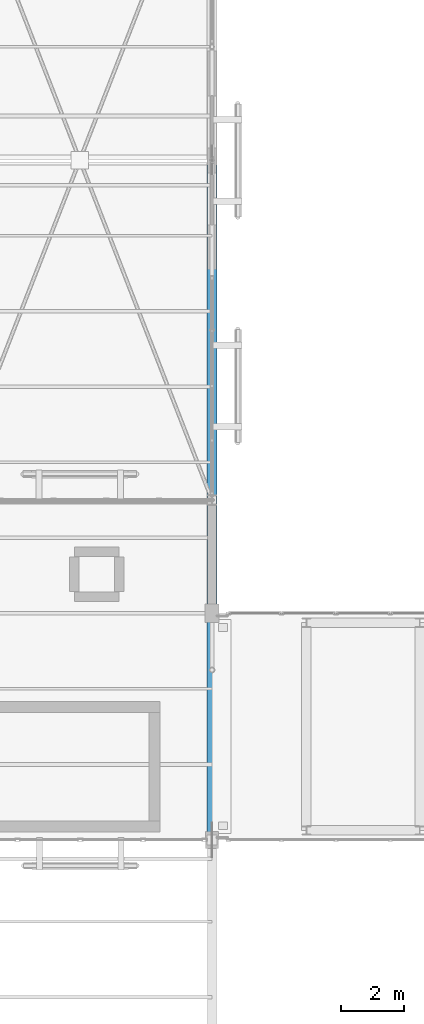
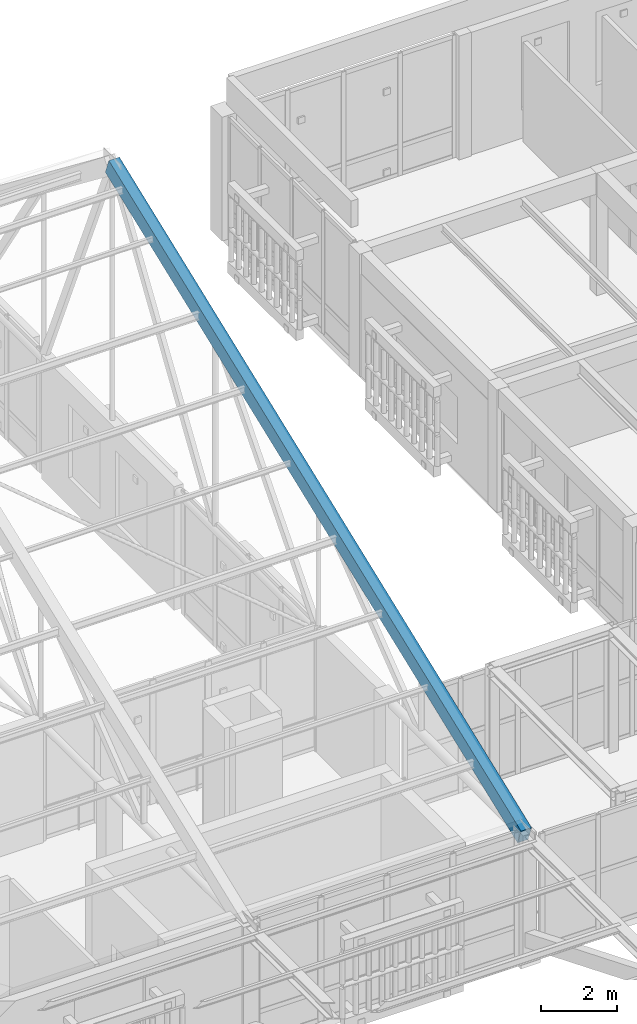
# One storey, part 108 of 217: 1 member.
"""IFC4 building model written with IfcOpenShell, lengths in metres."""

from ifc_helpers import new_model, si_unit, direction, frame, origin, origin_2d, place, context, subcontext, project, spatial, rectangle, extrude, material, material_profile, profile_set, type_object, element, save


model = new_model("IFC4")

# Units and contexts
model_context = context("Model", 3, precision=1e-05, world=origin(), true_north=direction((0.0, 1.0)))
body_context = subcontext(model_context, "Body", "Model", "MODEL_VIEW")
ifc_project = project(units=[si_unit("LENGTHUNIT", "METRE"), si_unit("AREAUNIT", "SQUARE_METRE"), si_unit("VOLUMEUNIT", "CUBIC_METRE"), si_unit("PLANEANGLEUNIT", "RADIAN"), si_unit("MASSUNIT", "GRAM", prefix="KILO")], contexts=[model_context])

# Site, building, storey
site_placement = place(None, origin())
site = spatial("IfcSite", under=ifc_project, at=site_placement, CompositionType="ELEMENT")
building_placement = place(site_placement, origin())
building = spatial("IfcBuilding", under=site, at=building_placement, Name="Mazaris Harbour Polytechnic", CompositionType="ELEMENT")
storey_placement = place(building_placement, frame((0.0, 0.0, 9.60009765625)))
storey = spatial("IfcBuildingStorey", under=building, at=storey_placement, Name="L02", CompositionType="ELEMENT", Elevation=9.60009765625)

# Member
ifc_material = material(Name="Glulam GL32h", Category="wood")
ifc_material_profile = material_profile(ifc_material, rectangle(XDim=0.320068359375, YDim=0.52001953125, at=origin_2d()), Name="RECT320x520")
ifc_profile_set = profile_set([ifc_material_profile], Name="Glulam GL32h")
member_type = type_object("IfcMemberType", Name="Glulam Top Chord 320x520", PredefinedType="CHORD", material=ifc_profile_set)
member_placement = place(storey_placement, frame((112.800048828125, 75.60009765625, 3.75), z_axis=(0.0, 0.93273343771, 0.360566684786), x_axis=(-1.0, 0.0, 0.0)))
element("IfcMember", 1, at=member_placement, inside=storey, type_object=member_type, Name="Truss 8 South Glulam Top Chord", PredefinedType="CHORD", context=body_context, shape_type="SweptSolid", body=[
    extrude(rectangle(XDim=0.320068359375, YDim=0.52001953125, at=origin_2d()), origin(), (0.0, 0.0, 1.0), 23.157470703125),
])

save(model, "model.ifc")
